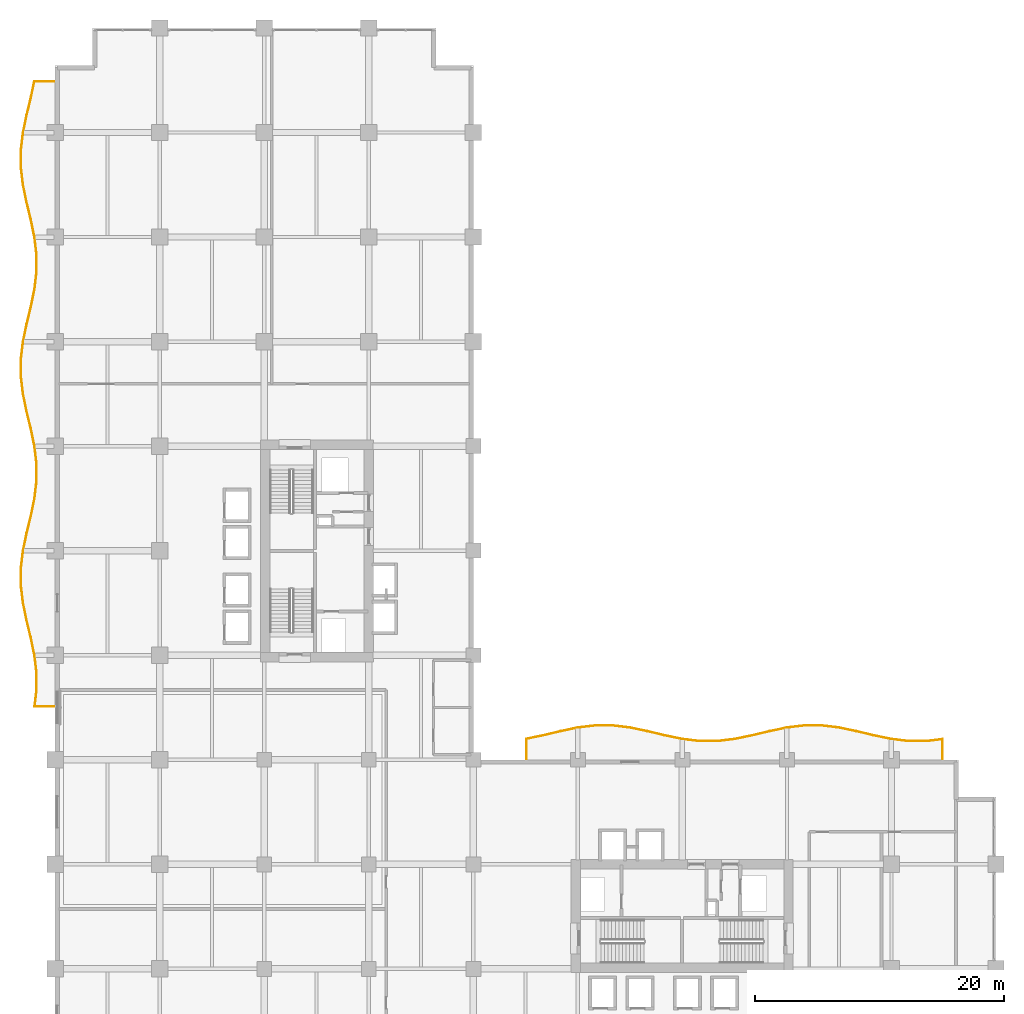
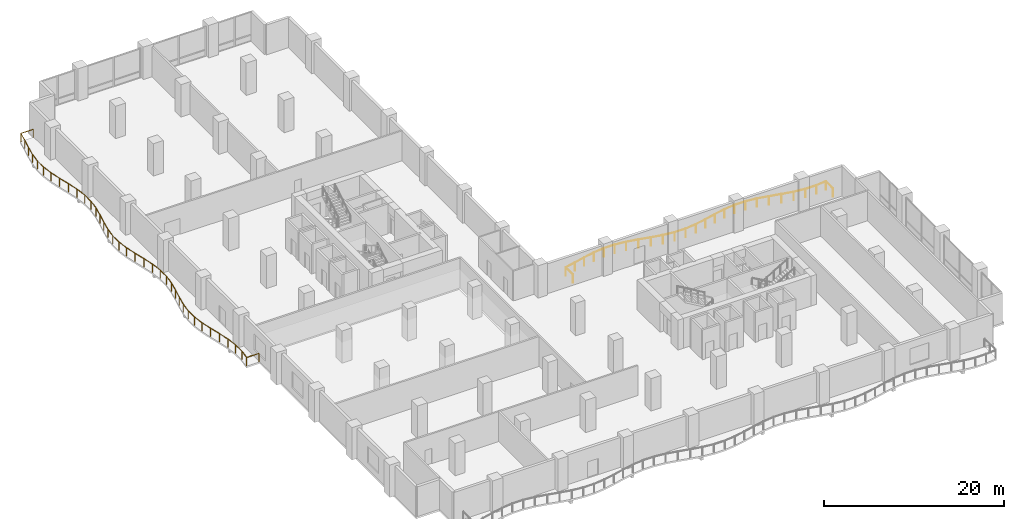
# One storey, part 24 of 24: 2 railings.
"""IFC4 building model written with IfcOpenShell, lengths in metres."""

from ifc_helpers import new_model, si_unit, direction, frame, origin, origin_2d, place, context, subcontext, project, spatial, circle, extrude, material, type_object, element, save


model = new_model("IFC4")

# Units and contexts
model_context = context("Model", 3, precision=1e-05, world=origin(), true_north=direction((0.0, 1.0)))
body_context = subcontext(model_context, "Body", "Model", "MODEL_VIEW")
ifc_project = project(units=[si_unit("LENGTHUNIT", "METRE"), si_unit("AREAUNIT", "SQUARE_METRE"), si_unit("VOLUMEUNIT", "CUBIC_METRE"), si_unit("PLANEANGLEUNIT", "RADIAN"), si_unit("MASSUNIT", "GRAM", prefix="KILO")], contexts=[model_context])

# Site, building, storey
site_placement = place(None, origin())
site = spatial("IfcSite", under=ifc_project, at=site_placement, CompositionType="ELEMENT")
building_placement = place(site_placement, origin())
building = spatial("IfcBuilding", under=site, at=building_placement, Name="Koriwani Terraces Tower", CompositionType="ELEMENT")
storey_placement = place(building_placement, frame((0.0, 0.0, 89.60009765625)))
storey = spatial("IfcBuildingStorey", under=building, at=storey_placement, Name="L21", CompositionType="ELEMENT", Elevation=89.60009765625)

# Railings
ifc_material = material(Name="Steel ASTM A572 Grade 50", Category="steel")
railing_type = type_object("IfcRailingType", Name="GUARD_BALUSTRADE_1150", PredefinedType="BALUSTRADE", material=ifc_material)
railing_1_placement = place(storey_placement, frame((-0.080078125, 37.8798828125, 0.0)))
element("IfcRailing", 1, at=railing_1_placement, inside=storey, type_object=railing_type, Name="L21 Balcony Perimeter Safety Balustrade (W)", PredefinedType="BALUSTRADE", context=body_context, shape_type="SweptSolid", body=[
    extrude(circle(Radius=0.02392578125, at=origin_2d()), frame((0.0, 0.0, 1.1259765625), z_axis=(-1.0, 0.0, 0.0), x_axis=(0.0, -1.0, 0.0)), (0.0, 0.0, 1.0), 1.570068359375),
    extrude(circle(Radius=0.02392578125, at=origin_2d()), frame((-1.570068359375, 0.0, 1.1259765625), z_axis=(0.11904348932, 0.992889040956, 0.0), x_axis=(-0.992889040956, 0.11904348932, 0.0)), (0.0, 0.0, 1.0), 1.324951171875),
    extrude(circle(Radius=0.02392578125, at=origin_2d()), frame((-1.412353515625, 1.3154296875, 1.1259765625), z_axis=(0.0, 1.0, 0.0), x_axis=(-1.0, 0.0, 0.0)), (0.0, 0.0, 1.0), 1.409423828125),
    extrude(circle(Radius=0.02392578125, at=origin_2d()), frame((-1.412353515625, 2.724853515625, 1.1259765625), z_axis=(-0.119287758056, 0.992859723616, 0.0), x_axis=(-0.992859723616, -0.119287758056, 0.0)), (0.0, 0.0, 1.0), 1.418212890625),
    extrude(circle(Radius=0.02392578125, at=origin_2d()), frame((-1.58154296875, 4.133056640625, 1.1259765625), z_axis=(-0.203539678581, 0.979066698056, 0.0), x_axis=(-0.979066698056, -0.203539678581, 0.0)), (0.0, 0.0, 1.0), 1.4345703125),
    extrude(circle(Radius=0.02392578125, at=origin_2d()), frame((-1.87353515625, 5.53759765625, 1.1259765625), z_axis=(-0.233667958249, 0.972316453264, 0.0), x_axis=(-0.972316453264, -0.233667958249, 0.0)), (0.0, 0.0, 1.0), 1.439697265625),
    extrude(circle(Radius=0.02392578125, at=origin_2d()), frame((-2.2099609375, 6.9375, 1.1259765625), z_axis=(-0.203817459967, 0.979008908546, 0.0), x_axis=(-0.979008908546, -0.203817459967, 0.0)), (0.0, 0.0, 1.0), 1.425537109375),
    extrude(circle(Radius=0.02392578125, at=origin_2d()), frame((-2.50048828125, 8.3330078125, 1.1259765625), z_axis=(-0.119296300234, 0.992858697273, 0.0), x_axis=(-0.992858697273, -0.119296300234, 0.0)), (0.0, 0.0, 1.0), 1.40185546875),
    extrude(circle(Radius=0.02392578125, at=origin_2d()), frame((-2.667724609375, 9.724853515625, 1.1259765625), z_axis=(0.0, 1.0, 0.0), x_axis=(-1.0, 0.0, 0.0)), (0.0, 0.0, 1.0), 1.390380859375),
    extrude(circle(Radius=0.02392578125, at=origin_2d()), frame((-2.667724609375, 11.115234375, 1.1259765625), z_axis=(0.119275676073, 0.992861175138, 0.0), x_axis=(-0.992861175138, 0.119275676073, 0.0)), (0.0, 0.0, 1.0), 1.402099609375),
    extrude(circle(Radius=0.02392578125, at=origin_2d()), frame((-2.50048828125, 12.50732421875, 1.1259765625), z_axis=(0.20385164167, 0.979001791719, 0.0), x_axis=(-0.979001791719, 0.20385164167, 0.0)), (0.0, 0.0, 1.0), 1.42529296875),
    extrude(circle(Radius=0.02392578125, at=origin_2d()), frame((-2.2099609375, 13.902587890625, 1.1259765625), z_axis=(0.233629438166, 0.972325709638, 0.0), x_axis=(-0.972325709638, 0.233629438166, 0.0)), (0.0, 0.0, 1.0), 1.43994140625),
    extrude(circle(Radius=0.02392578125, at=origin_2d()), frame((-1.87353515625, 15.302734375, 1.1259765625), z_axis=(0.203539678581, 0.979066698056, 0.0), x_axis=(-0.979066698056, 0.203539678581, 0.0)), (0.0, 0.0, 1.0), 1.4345703125),
    extrude(circle(Radius=0.02392578125, at=origin_2d()), frame((-1.58154296875, 16.707275390625, 1.1259765625), z_axis=(0.119308148191, 0.992857273618, 0.0), x_axis=(-0.992857273618, 0.119308148191, 0.0)), (0.0, 0.0, 1.0), 1.41796875),
    extrude(circle(Radius=0.02392578125, at=origin_2d()), frame((-1.412353515625, 18.115234375, 1.1259765625), z_axis=(0.0, 1.0, 0.0), x_axis=(-1.0, 0.0, 0.0)), (0.0, 0.0, 1.0), 1.40966796875),
    extrude(circle(Radius=0.02392578125, at=origin_2d()), frame((-1.412353515625, 19.52490234375, 1.1259765625), z_axis=(-0.119287758056, 0.992859723616, 0.0), x_axis=(-0.992859723616, -0.119287758056, 0.0)), (0.0, 0.0, 1.0), 1.418212890625),
    extrude(circle(Radius=0.02392578125, at=origin_2d()), frame((-1.58154296875, 20.93310546875, 1.1259765625), z_axis=(-0.203539678581, 0.979066698056, 0.0), x_axis=(-0.979066698056, -0.203539678581, 0.0)), (0.0, 0.0, 1.0), 1.4345703125),
    extrude(circle(Radius=0.02392578125, at=origin_2d()), frame((-1.87353515625, 22.337646484375, 1.1259765625), z_axis=(-0.233667958249, 0.972316453264, 0.0), x_axis=(-0.972316453264, -0.233667958249, 0.0)), (0.0, 0.0, 1.0), 1.439697265625),
    extrude(circle(Radius=0.02392578125, at=origin_2d()), frame((-2.2099609375, 23.737548828125, 1.1259765625), z_axis=(-0.203817459967, 0.979008908546, 0.0), x_axis=(-0.979008908546, -0.203817459967, 0.0)), (0.0, 0.0, 1.0), 1.425537109375),
    extrude(circle(Radius=0.02392578125, at=origin_2d()), frame((-2.50048828125, 25.133056640625, 1.1259765625), z_axis=(-0.119296300234, 0.992858697273, 0.0), x_axis=(-0.992858697273, -0.119296300234, 0.0)), (0.0, 0.0, 1.0), 1.40185546875),
    extrude(circle(Radius=0.02392578125, at=origin_2d()), frame((-2.667724609375, 26.52490234375, 1.1259765625), z_axis=(0.0, 1.0, 0.0), x_axis=(-1.0, 0.0, 0.0)), (0.0, 0.0, 1.0), 1.390380859375),
    extrude(circle(Radius=0.02392578125, at=origin_2d()), frame((-2.667724609375, 27.915283203125, 1.1259765625), z_axis=(0.119296300234, 0.992858697273, 0.0), x_axis=(-0.992858697273, 0.119296300234, 0.0)), (0.0, 0.0, 1.0), 1.40185546875),
    extrude(circle(Radius=0.02392578125, at=origin_2d()), frame((-2.50048828125, 29.30712890625, 1.1259765625), z_axis=(0.203817459967, 0.979008908546, 0.0), x_axis=(-0.979008908546, 0.203817459967, 0.0)), (0.0, 0.0, 1.0), 1.425537109375),
    extrude(circle(Radius=0.02392578125, at=origin_2d()), frame((-2.2099609375, 30.70263671875, 1.1259765625), z_axis=(0.233667958249, 0.972316453264, 0.0), x_axis=(-0.972316453264, 0.233667958249, 0.0)), (0.0, 0.0, 1.0), 1.439697265625),
    extrude(circle(Radius=0.02392578125, at=origin_2d()), frame((-1.87353515625, 32.1025390625, 1.1259765625), z_axis=(0.203505770089, 0.979073746732, 0.0), x_axis=(-0.979073746732, 0.203505770089, 0.0)), (0.0, 0.0, 1.0), 1.434814453125),
    extrude(circle(Radius=0.02392578125, at=origin_2d()), frame((-1.58154296875, 33.50732421875, 1.1259765625), z_axis=(0.119308148191, 0.992857273618, 0.0), x_axis=(-0.992857273618, 0.119308148191, 0.0)), (0.0, 0.0, 1.0), 1.41796875),
    extrude(circle(Radius=0.02392578125, at=origin_2d()), frame((-1.412353515625, 34.915283203125, 1.1259765625), z_axis=(0.0, 1.0, 0.0), x_axis=(-1.0, 0.0, 0.0)), (0.0, 0.0, 1.0), 1.40966796875),
    extrude(circle(Radius=0.02392578125, at=origin_2d()), frame((-1.412353515625, 36.324951171875, 1.1259765625), z_axis=(-0.119308148191, 0.992857273618, 0.0), x_axis=(-0.992857273618, -0.119308148191, 0.0)), (0.0, 0.0, 1.0), 1.41796875),
    extrude(circle(Radius=0.02392578125, at=origin_2d()), frame((-1.58154296875, 37.73291015625, 1.1259765625), z_axis=(-0.203505770089, 0.979073746732, 0.0), x_axis=(-0.979073746732, -0.203505770089, 0.0)), (0.0, 0.0, 1.0), 1.434814453125),
    extrude(circle(Radius=0.02392578125, at=origin_2d()), frame((-1.87353515625, 39.1376953125, 1.1259765625), z_axis=(-0.233667958249, 0.972316453264, 0.0), x_axis=(-0.972316453264, -0.233667958249, 0.0)), (0.0, 0.0, 1.0), 1.439697265625),
    extrude(circle(Radius=0.02392578125, at=origin_2d()), frame((-2.2099609375, 40.53759765625, 1.1259765625), z_axis=(-0.203817459967, 0.979008908546, 0.0), x_axis=(-0.979008908546, -0.203817459967, 0.0)), (0.0, 0.0, 1.0), 1.425537109375),
    extrude(circle(Radius=0.02392578125, at=origin_2d()), frame((-2.50048828125, 41.93310546875, 1.1259765625), z_axis=(-0.119296300234, 0.992858697273, 0.0), x_axis=(-0.992858697273, -0.119296300234, 0.0)), (0.0, 0.0, 1.0), 1.40185546875),
    extrude(circle(Radius=0.02392578125, at=origin_2d()), frame((-2.667724609375, 43.324951171875, 1.1259765625), z_axis=(0.0, 1.0, 0.0), x_axis=(-1.0, 0.0, 0.0)), (0.0, 0.0, 1.0), 1.390380859375),
    extrude(circle(Radius=0.02392578125, at=origin_2d()), frame((-2.667724609375, 44.71533203125, 1.1259765625), z_axis=(0.119296300234, 0.992858697273, 0.0), x_axis=(-0.992858697273, 0.119296300234, 0.0)), (0.0, 0.0, 1.0), 1.40185546875),
    extrude(circle(Radius=0.02392578125, at=origin_2d()), frame((-2.50048828125, 46.107177734375, 1.1259765625), z_axis=(0.203817459967, 0.979008908546, 0.0), x_axis=(-0.979008908546, 0.203817459967, 0.0)), (0.0, 0.0, 1.0), 1.425537109375),
    extrude(circle(Radius=0.02392578125, at=origin_2d()), frame((-2.2099609375, 47.502685546875, 1.1259765625), z_axis=(0.233667958249, 0.972316453264, 0.0), x_axis=(-0.972316453264, 0.233667958249, 0.0)), (0.0, 0.0, 1.0), 1.439697265625),
    extrude(circle(Radius=0.02392578125, at=origin_2d()), frame((-1.87353515625, 48.902587890625, 1.1259765625), z_axis=(0.203704500299, 0.979032418543, 0.0), x_axis=(-0.979032418543, 0.203704500299, 0.0)), (0.0, 0.0, 1.0), 1.3662109375),
    extrude(circle(Radius=0.02392578125, at=origin_2d()), frame((-1.59521484375, 50.240234375, 1.1259765625), z_axis=(1.0, 0.0, 0.0), x_axis=(0.0, 1.0, 0.0)), (0.0, 0.0, 1.0), 1.59521484375),
    extrude(circle(Radius=0.02099609375, at=origin_2d()), origin(), (0.0, 0.0, 1.0), 1.101806640625),
    extrude(circle(Radius=0.02099609375, at=origin_2d()), frame((-1.570068359375, 0.0, 0.0)), (0.0, 0.0, 1.0), 1.101806640625),
    extrude(circle(Radius=0.02099609375, at=origin_2d()), frame((-1.412353515625, 1.3154296875, 0.0)), (0.0, 0.0, 1.0), 1.101806640625),
    extrude(circle(Radius=0.02099609375, at=origin_2d()), frame((-1.412353515625, 2.724853515625, 0.0)), (0.0, 0.0, 1.0), 1.101806640625),
    extrude(circle(Radius=0.02099609375, at=origin_2d()), frame((-1.58154296875, 4.133056640625, 0.0)), (0.0, 0.0, 1.0), 1.101806640625),
    extrude(circle(Radius=0.02099609375, at=origin_2d()), frame((-1.87353515625, 5.53759765625, 0.0)), (0.0, 0.0, 1.0), 1.101806640625),
    extrude(circle(Radius=0.02099609375, at=origin_2d()), frame((-2.2099609375, 6.9375, 0.0)), (0.0, 0.0, 1.0), 1.101806640625),
    extrude(circle(Radius=0.02099609375, at=origin_2d()), frame((-2.50048828125, 8.3330078125, 0.0)), (0.0, 0.0, 1.0), 1.101806640625),
    extrude(circle(Radius=0.02099609375, at=origin_2d()), frame((-2.667724609375, 9.724853515625, 0.0)), (0.0, 0.0, 1.0), 1.101806640625),
    extrude(circle(Radius=0.02099609375, at=origin_2d()), frame((-2.667724609375, 11.115234375, 0.0)), (0.0, 0.0, 1.0), 1.101806640625),
    extrude(circle(Radius=0.02099609375, at=origin_2d()), frame((-2.50048828125, 12.50732421875, 0.0)), (0.0, 0.0, 1.0), 1.101806640625),
    extrude(circle(Radius=0.02099609375, at=origin_2d()), frame((-2.2099609375, 13.902587890625, 0.0)), (0.0, 0.0, 1.0), 1.101806640625),
    extrude(circle(Radius=0.02099609375, at=origin_2d()), frame((-1.87353515625, 15.302734375, 0.0)), (0.0, 0.0, 1.0), 1.101806640625),
    extrude(circle(Radius=0.02099609375, at=origin_2d()), frame((-1.58154296875, 16.707275390625, 0.0)), (0.0, 0.0, 1.0), 1.101806640625),
    extrude(circle(Radius=0.02099609375, at=origin_2d()), frame((-1.412353515625, 18.115234375, 0.0)), (0.0, 0.0, 1.0), 1.101806640625),
    extrude(circle(Radius=0.02099609375, at=origin_2d()), frame((-1.412353515625, 19.52490234375, 0.0)), (0.0, 0.0, 1.0), 1.101806640625),
    extrude(circle(Radius=0.02099609375, at=origin_2d()), frame((-1.58154296875, 20.93310546875, 0.0)), (0.0, 0.0, 1.0), 1.101806640625),
    extrude(circle(Radius=0.02099609375, at=origin_2d()), frame((-1.87353515625, 22.337646484375, 0.0)), (0.0, 0.0, 1.0), 1.101806640625),
    extrude(circle(Radius=0.02099609375, at=origin_2d()), frame((-2.2099609375, 23.737548828125, 0.0)), (0.0, 0.0, 1.0), 1.101806640625),
    extrude(circle(Radius=0.02099609375, at=origin_2d()), frame((-2.50048828125, 25.133056640625, 0.0)), (0.0, 0.0, 1.0), 1.101806640625),
    extrude(circle(Radius=0.02099609375, at=origin_2d()), frame((-2.667724609375, 26.52490234375, 0.0)), (0.0, 0.0, 1.0), 1.101806640625),
    extrude(circle(Radius=0.02099609375, at=origin_2d()), frame((-2.667724609375, 27.915283203125, 0.0)), (0.0, 0.0, 1.0), 1.101806640625),
    extrude(circle(Radius=0.02099609375, at=origin_2d()), frame((-2.50048828125, 29.30712890625, 0.0)), (0.0, 0.0, 1.0), 1.101806640625),
    extrude(circle(Radius=0.02099609375, at=origin_2d()), frame((-2.2099609375, 30.70263671875, 0.0)), (0.0, 0.0, 1.0), 1.101806640625),
    extrude(circle(Radius=0.02099609375, at=origin_2d()), frame((-1.87353515625, 32.1025390625, 0.0)), (0.0, 0.0, 1.0), 1.101806640625),
    extrude(circle(Radius=0.02099609375, at=origin_2d()), frame((-1.58154296875, 33.50732421875, 0.0)), (0.0, 0.0, 1.0), 1.101806640625),
    extrude(circle(Radius=0.02099609375, at=origin_2d()), frame((-1.412353515625, 34.915283203125, 0.0)), (0.0, 0.0, 1.0), 1.101806640625),
    extrude(circle(Radius=0.02099609375, at=origin_2d()), frame((-1.412353515625, 36.324951171875, 0.0)), (0.0, 0.0, 1.0), 1.101806640625),
    extrude(circle(Radius=0.02099609375, at=origin_2d()), frame((-1.58154296875, 37.73291015625, 0.0)), (0.0, 0.0, 1.0), 1.101806640625),
    extrude(circle(Radius=0.02099609375, at=origin_2d()), frame((-1.87353515625, 39.1376953125, 0.0)), (0.0, 0.0, 1.0), 1.101806640625),
    extrude(circle(Radius=0.02099609375, at=origin_2d()), frame((-2.2099609375, 40.53759765625, 0.0)), (0.0, 0.0, 1.0), 1.101806640625),
    extrude(circle(Radius=0.02099609375, at=origin_2d()), frame((-2.50048828125, 41.93310546875, 0.0)), (0.0, 0.0, 1.0), 1.101806640625),
    extrude(circle(Radius=0.02099609375, at=origin_2d()), frame((-2.667724609375, 43.324951171875, 0.0)), (0.0, 0.0, 1.0), 1.101806640625),
    extrude(circle(Radius=0.02099609375, at=origin_2d()), frame((-2.667724609375, 44.71533203125, 0.0)), (0.0, 0.0, 1.0), 1.101806640625),
    extrude(circle(Radius=0.02099609375, at=origin_2d()), frame((-2.50048828125, 46.107177734375, 0.0)), (0.0, 0.0, 1.0), 1.101806640625),
    extrude(circle(Radius=0.02099609375, at=origin_2d()), frame((-2.2099609375, 47.502685546875, 0.0)), (0.0, 0.0, 1.0), 1.101806640625),
    extrude(circle(Radius=0.02099609375, at=origin_2d()), frame((-1.87353515625, 48.902587890625, 0.0)), (0.0, 0.0, 1.0), 1.101806640625),
    extrude(circle(Radius=0.02099609375, at=origin_2d()), frame((-1.59521484375, 50.240234375, 0.0)), (0.0, 0.0, 1.0), 1.101806640625),
    extrude(circle(Radius=0.02099609375, at=origin_2d()), frame((0.0, 50.240234375, 0.0)), (0.0, 0.0, 1.0), 1.101806640625),
])
railing_2_placement = place(storey_placement, frame((71.320068359375, 33.679931640625, 0.0)))
element("IfcRailing", 2, at=railing_2_placement, inside=storey, type_object=railing_type, Name="L21 Balcony Perimeter Safety Balustrade (NE)", PredefinedType="BALUSTRADE", context=body_context, shape_type="SweptSolid", body=[
    extrude(circle(Radius=0.02392578125, at=origin_2d()), frame((0.0, 0.0, 1.1259765625), z_axis=(0.0, 1.0, 0.0), x_axis=(-1.0, 0.0, 0.0)), (0.0, 0.0, 1.0), 1.5703125),
    extrude(circle(Radius=0.02392578125, at=origin_2d()), frame((0.0, 1.5703125, 1.1259765625), z_axis=(-0.992864623627, -0.119246967048, 0.0), x_axis=(0.119246967048, -0.992864623627, 0.0)), (0.0, 0.0, 1.0), 1.32470703125),
    extrude(circle(Radius=0.02392578125, at=origin_2d()), frame((-1.315185546875, 1.412353515625, 1.1259765625), z_axis=(-1.0, 0.0, 0.0), x_axis=(0.0, -1.0, 0.0)), (0.0, 0.0, 1.0), 1.40966796875),
    extrude(circle(Radius=0.02392578125, at=origin_2d()), frame((-2.724853515625, 1.412353515625, 1.1259765625), z_axis=(-0.992859723616, 0.119287758056, 0.0), x_axis=(-0.119287758056, -0.992859723616, 0.0)), (0.0, 0.0, 1.0), 1.418212890625),
    extrude(circle(Radius=0.02392578125, at=origin_2d()), frame((-4.133056640625, 1.58154296875, 1.1259765625), z_axis=(-0.979032771622, 0.203702803343, 0.0), x_axis=(-0.203702803343, -0.979032771622, 0.0)), (0.0, 0.0, 1.0), 1.4345703125),
    extrude(circle(Radius=0.02392578125, at=origin_2d()), frame((-5.53759765625, 1.873779296875, 1.1259765625), z_axis=(-0.972316453264, 0.233667958249, 0.0), x_axis=(-0.233667958249, -0.972316453264, 0.0)), (0.0, 0.0, 1.0), 1.439697265625),
    extrude(circle(Radius=0.02392578125, at=origin_2d()), frame((-6.9375, 2.210205078125, 1.1259765625), z_axis=(-0.979008908546, 0.203817459967, 0.0), x_axis=(-0.203817459967, -0.979008908546, 0.0)), (0.0, 0.0, 1.0), 1.425537109375),
    extrude(circle(Radius=0.02392578125, at=origin_2d()), frame((-8.3330078125, 2.500732421875, 1.1259765625), z_axis=(-0.992858697273, 0.119296300234, 0.0), x_axis=(-0.119296300234, -0.992858697273, 0.0)), (0.0, 0.0, 1.0), 1.40185546875),
    extrude(circle(Radius=0.02392578125, at=origin_2d()), frame((-9.724853515625, 2.66796875, 1.1259765625), z_axis=(-1.0, 0.0, 0.0), x_axis=(0.0, -1.0, 0.0)), (0.0, 0.0, 1.0), 1.390380859375),
    extrude(circle(Radius=0.02392578125, at=origin_2d()), frame((-11.115234375, 2.66796875, 1.1259765625), z_axis=(-0.992858697273, -0.119296300234, 0.0), x_axis=(0.119296300234, -0.992858697273, 0.0)), (0.0, 0.0, 1.0), 1.40185546875),
    extrude(circle(Radius=0.02392578125, at=origin_2d()), frame((-12.507080078125, 2.500732421875, 1.1259765625), z_axis=(-0.979008908546, -0.203817459967, 0.0), x_axis=(0.203817459967, -0.979008908546, 0.0)), (0.0, 0.0, 1.0), 1.425537109375),
    extrude(circle(Radius=0.02392578125, at=origin_2d()), frame((-13.902587890625, 2.210205078125, 1.1259765625), z_axis=(-0.972316453264, -0.233667958249, 0.0), x_axis=(0.233667958249, -0.972316453264, 0.0)), (0.0, 0.0, 1.0), 1.439697265625),
    extrude(circle(Radius=0.02392578125, at=origin_2d()), frame((-15.302490234375, 1.873779296875, 1.1259765625), z_axis=(-0.979039831356, -0.203668870027, 0.0), x_axis=(0.203668870027, -0.979039831356, 0.0)), (0.0, 0.0, 1.0), 1.434814453125),
    extrude(circle(Radius=0.02392578125, at=origin_2d()), frame((-16.707275390625, 1.58154296875, 1.1259765625), z_axis=(-0.992857273618, -0.119308148191, 0.0), x_axis=(0.119308148191, -0.992857273618, 0.0)), (0.0, 0.0, 1.0), 1.41796875),
    extrude(circle(Radius=0.02392578125, at=origin_2d()), frame((-18.115234375, 1.412353515625, 1.1259765625), z_axis=(-1.0, 0.0, 0.0), x_axis=(0.0, -1.0, 0.0)), (0.0, 0.0, 1.0), 1.40966796875),
    extrude(circle(Radius=0.02392578125, at=origin_2d()), frame((-19.52490234375, 1.412353515625, 1.1259765625), z_axis=(-0.992857273618, 0.119308148191, 0.0), x_axis=(-0.119308148191, -0.992857273618, 0.0)), (0.0, 0.0, 1.0), 1.41796875),
    extrude(circle(Radius=0.02392578125, at=origin_2d()), frame((-20.932861328125, 1.58154296875, 1.1259765625), z_axis=(-0.979039831356, 0.203668870027, 0.0), x_axis=(-0.203668870027, -0.979039831356, 0.0)), (0.0, 0.0, 1.0), 1.434814453125),
    extrude(circle(Radius=0.02392578125, at=origin_2d()), frame((-22.337646484375, 1.873779296875, 1.1259765625), z_axis=(-0.972316453264, 0.233667958249, 0.0), x_axis=(-0.233667958249, -0.972316453264, 0.0)), (0.0, 0.0, 1.0), 1.439697265625),
    extrude(circle(Radius=0.02392578125, at=origin_2d()), frame((-23.737548828125, 2.210205078125, 1.1259765625), z_axis=(-0.979008908546, 0.203817459967, 0.0), x_axis=(-0.203817459967, -0.979008908546, 0.0)), (0.0, 0.0, 1.0), 1.425537109375),
    extrude(circle(Radius=0.02392578125, at=origin_2d()), frame((-25.133056640625, 2.500732421875, 1.1259765625), z_axis=(-0.992858697273, 0.119296300234, 0.0), x_axis=(-0.119296300234, -0.992858697273, 0.0)), (0.0, 0.0, 1.0), 1.40185546875),
    extrude(circle(Radius=0.02392578125, at=origin_2d()), frame((-26.52490234375, 2.66796875, 1.1259765625), z_axis=(-1.0, 0.0, 0.0), x_axis=(0.0, -1.0, 0.0)), (0.0, 0.0, 1.0), 1.390380859375),
    extrude(circle(Radius=0.02392578125, at=origin_2d()), frame((-27.915283203125, 2.66796875, 1.1259765625), z_axis=(-0.992858697273, -0.119296300234, 0.0), x_axis=(0.119296300234, -0.992858697273, 0.0)), (0.0, 0.0, 1.0), 1.40185546875),
    extrude(circle(Radius=0.02392578125, at=origin_2d()), frame((-29.30712890625, 2.500732421875, 1.1259765625), z_axis=(-0.979008908546, -0.203817459967, 0.0), x_axis=(0.203817459967, -0.979008908546, 0.0)), (0.0, 0.0, 1.0), 1.425537109375),
    extrude(circle(Radius=0.02392578125, at=origin_2d()), frame((-30.70263671875, 2.210205078125, 1.1259765625), z_axis=(-0.972316453264, -0.233667958249, 0.0), x_axis=(0.233667958249, -0.972316453264, 0.0)), (0.0, 0.0, 1.0), 1.439697265625),
    extrude(circle(Radius=0.02392578125, at=origin_2d()), frame((-32.1025390625, 1.873779296875, 1.1259765625), z_axis=(-0.979032418543, -0.203704500299, 0.0), x_axis=(0.203704500299, -0.979032418543, 0.0)), (0.0, 0.0, 1.0), 1.3662109375),
    extrude(circle(Radius=0.02392578125, at=origin_2d()), frame((-33.440185546875, 1.595458984375, 1.1259765625), z_axis=(0.0, -1.0, 0.0), x_axis=(1.0, 0.0, 0.0)), (0.0, 0.0, 1.0), 1.595458984375),
    extrude(circle(Radius=0.02099609375, at=origin_2d()), origin(), (0.0, 0.0, 1.0), 1.101806640625),
    extrude(circle(Radius=0.02099609375, at=origin_2d()), frame((0.0, 1.5703125, 0.0)), (0.0, 0.0, 1.0), 1.101806640625),
    extrude(circle(Radius=0.02099609375, at=origin_2d()), frame((-1.315185546875, 1.412353515625, 0.0)), (0.0, 0.0, 1.0), 1.101806640625),
    extrude(circle(Radius=0.02099609375, at=origin_2d()), frame((-2.724853515625, 1.412353515625, 0.0)), (0.0, 0.0, 1.0), 1.101806640625),
    extrude(circle(Radius=0.02099609375, at=origin_2d()), frame((-4.133056640625, 1.58154296875, 0.0)), (0.0, 0.0, 1.0), 1.101806640625),
    extrude(circle(Radius=0.02099609375, at=origin_2d()), frame((-5.53759765625, 1.873779296875, 0.0)), (0.0, 0.0, 1.0), 1.101806640625),
    extrude(circle(Radius=0.02099609375, at=origin_2d()), frame((-6.9375, 2.210205078125, 0.0)), (0.0, 0.0, 1.0), 1.101806640625),
    extrude(circle(Radius=0.02099609375, at=origin_2d()), frame((-8.3330078125, 2.500732421875, 0.0)), (0.0, 0.0, 1.0), 1.101806640625),
    extrude(circle(Radius=0.02099609375, at=origin_2d()), frame((-9.724853515625, 2.66796875, 0.0)), (0.0, 0.0, 1.0), 1.101806640625),
    extrude(circle(Radius=0.02099609375, at=origin_2d()), frame((-11.115234375, 2.66796875, 0.0)), (0.0, 0.0, 1.0), 1.101806640625),
    extrude(circle(Radius=0.02099609375, at=origin_2d()), frame((-12.507080078125, 2.500732421875, 0.0)), (0.0, 0.0, 1.0), 1.101806640625),
    extrude(circle(Radius=0.02099609375, at=origin_2d()), frame((-13.902587890625, 2.210205078125, 0.0)), (0.0, 0.0, 1.0), 1.101806640625),
    extrude(circle(Radius=0.02099609375, at=origin_2d()), frame((-15.302490234375, 1.873779296875, 0.0)), (0.0, 0.0, 1.0), 1.101806640625),
    extrude(circle(Radius=0.02099609375, at=origin_2d()), frame((-16.707275390625, 1.58154296875, 0.0)), (0.0, 0.0, 1.0), 1.101806640625),
    extrude(circle(Radius=0.02099609375, at=origin_2d()), frame((-18.115234375, 1.412353515625, 0.0)), (0.0, 0.0, 1.0), 1.101806640625),
    extrude(circle(Radius=0.02099609375, at=origin_2d()), frame((-19.52490234375, 1.412353515625, 0.0)), (0.0, 0.0, 1.0), 1.101806640625),
    extrude(circle(Radius=0.02099609375, at=origin_2d()), frame((-20.932861328125, 1.58154296875, 0.0)), (0.0, 0.0, 1.0), 1.101806640625),
    extrude(circle(Radius=0.02099609375, at=origin_2d()), frame((-22.337646484375, 1.873779296875, 0.0)), (0.0, 0.0, 1.0), 1.101806640625),
    extrude(circle(Radius=0.02099609375, at=origin_2d()), frame((-23.737548828125, 2.210205078125, 0.0)), (0.0, 0.0, 1.0), 1.101806640625),
    extrude(circle(Radius=0.02099609375, at=origin_2d()), frame((-25.133056640625, 2.500732421875, 0.0)), (0.0, 0.0, 1.0), 1.101806640625),
    extrude(circle(Radius=0.02099609375, at=origin_2d()), frame((-26.52490234375, 2.66796875, 0.0)), (0.0, 0.0, 1.0), 1.101806640625),
    extrude(circle(Radius=0.02099609375, at=origin_2d()), frame((-27.915283203125, 2.66796875, 0.0)), (0.0, 0.0, 1.0), 1.101806640625),
    extrude(circle(Radius=0.02099609375, at=origin_2d()), frame((-29.30712890625, 2.500732421875, 0.0)), (0.0, 0.0, 1.0), 1.101806640625),
    extrude(circle(Radius=0.02099609375, at=origin_2d()), frame((-30.70263671875, 2.210205078125, 0.0)), (0.0, 0.0, 1.0), 1.101806640625),
    extrude(circle(Radius=0.02099609375, at=origin_2d()), frame((-32.1025390625, 1.873779296875, 0.0)), (0.0, 0.0, 1.0), 1.101806640625),
    extrude(circle(Radius=0.02099609375, at=origin_2d()), frame((-33.440185546875, 1.595458984375, 0.0)), (0.0, 0.0, 1.0), 1.101806640625),
    extrude(circle(Radius=0.02099609375, at=origin_2d()), frame((-33.440185546875, 0.0, 0.0)), (0.0, 0.0, 1.0), 1.101806640625),
])

save(model, "model.ifc")
